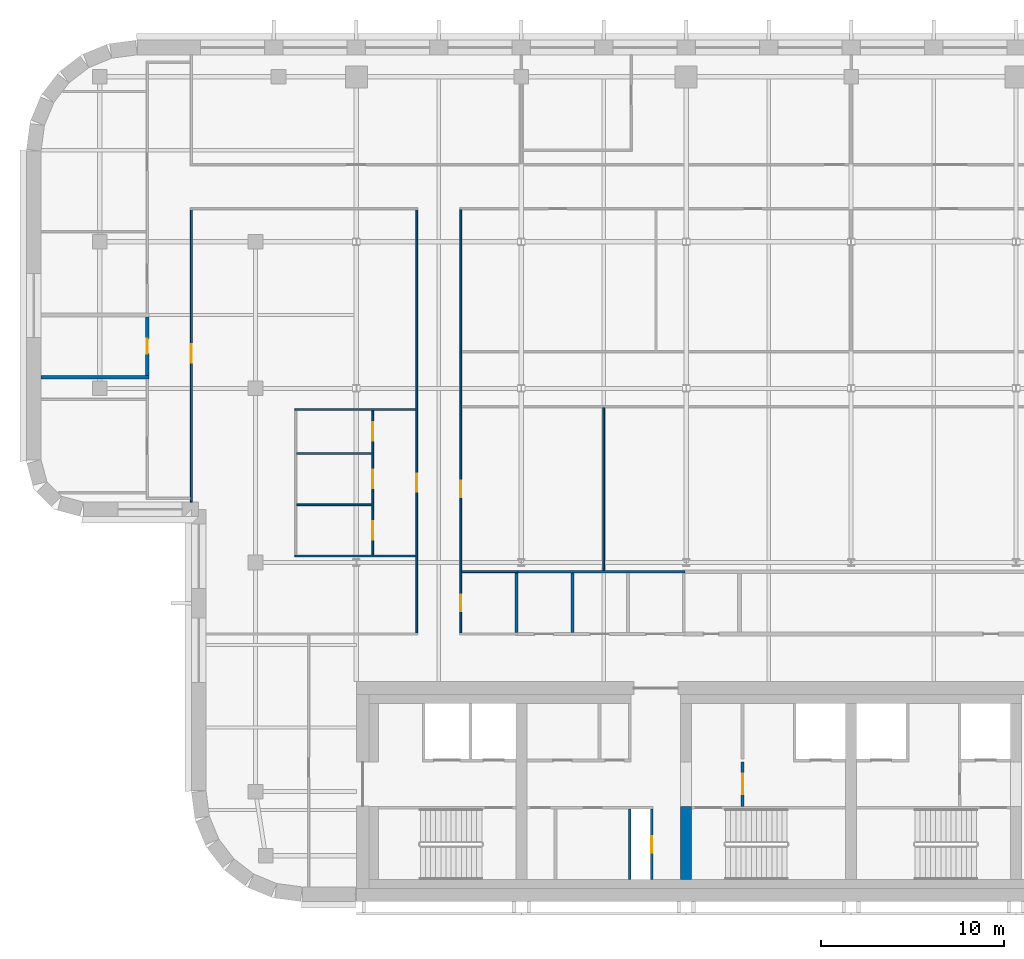
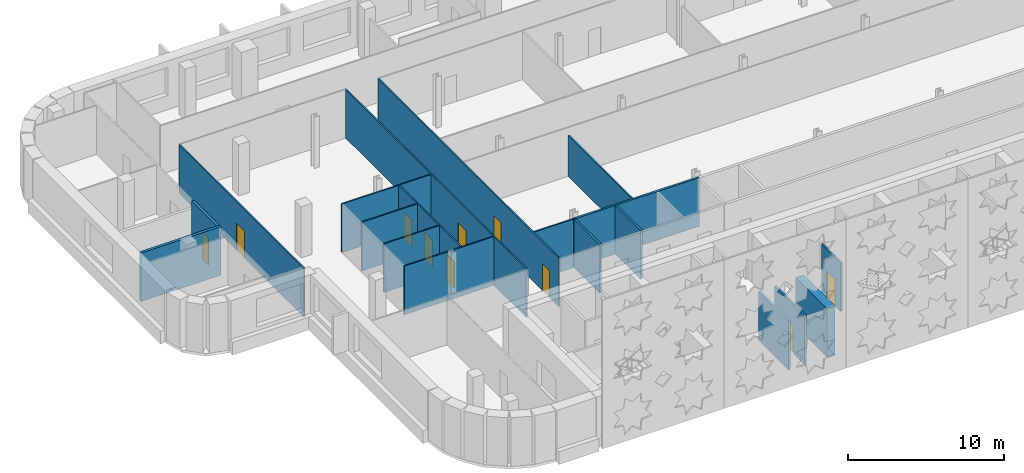
# One storey, part 8 of 18: 19 walls, 10 doors, 10 openings.
"""IFC4 building model written with IfcOpenShell, lengths in metres."""

from ifc_helpers import new_model, si_unit, direction, frame, frame_2d, origin, place, context, subcontext, project, spatial, rectangle, extrude, material, layer, layer_set, type_object, element, fill, save


model = new_model("IFC4")

# Units and contexts
model_context = context("Model", 3, precision=1e-05, world=origin(), true_north=direction((0.0, 1.0)))
body_context = subcontext(model_context, "Body", "Model", "MODEL_VIEW")
ifc_project = project(units=[si_unit("LENGTHUNIT", "METRE"), si_unit("AREAUNIT", "SQUARE_METRE"), si_unit("VOLUMEUNIT", "CUBIC_METRE"), si_unit("PLANEANGLEUNIT", "RADIAN"), si_unit("MASSUNIT", "GRAM", prefix="KILO")], contexts=[model_context])

# Site, building, storey
site_placement = place(None, origin())
site = spatial("IfcSite", under=ifc_project, at=site_placement, CompositionType="ELEMENT")
building_placement = place(site_placement, origin())
building = spatial("IfcBuilding", under=site, at=building_placement, Name="Zellij Exchange Tower", CompositionType="ELEMENT")
storey_placement = place(building_placement, frame((0.0, 0.0, 240.5)))
storey = spatial("IfcBuildingStorey", under=building, at=storey_placement, Name="L56", CompositionType="ELEMENT", Elevation=240.5)

# Wall
ifc_material_1 = material(Name="Concrete C50/60", Category="concrete")
ifc_layer_1 = layer(ifc_material_1, 0.60009765625)
ifc_layer_set_1 = layer_set([ifc_layer_1], Name="Concrete C50/60")
wall_type_1 = type_object("IfcWallType", Name="CORE-CW 600 C50/60", PredefinedType="SHEAR", material=ifc_layer_set_1)
wall_1_placement = place(storey_placement, frame((-9.0, -12.800048828125, 0.0), z_axis=(0.0, 0.0, 1.0), x_axis=(0.0, 1.0, 0.0)))
element("IfcWall", 1, at=wall_1_placement, inside=storey, type_object=wall_type_1, Name="Core cross wall pier x -9 a L56", PredefinedType="SHEAR", context=body_context, shape_type="SweptSolid", body=[
    extrude(rectangle(XDim=4.0, YDim=0.60009765625, at=frame_2d((2.0, 0.0))), origin(), (0.0, 0.0, 1.0), 3.800048828125),
])

# Wall, opening, door
ifc_material_2 = material(Name="Gypsum shaft wall system")
ifc_layer_2 = layer(ifc_material_2, 0.14990234375)
ifc_layer_set_2 = layer_set([ifc_layer_2], Name="Gypsum shaft wall system")
wall_type_2 = type_object("IfcWallType", Name="CORE-PW 150 Firefighting lobby wall", PredefinedType="PARTITIONING", material=ifc_layer_set_2)
wall_2_placement = place(storey_placement, frame((-5.925048828125, -8.800048828125, 0.0), z_axis=(0.0, 0.0, 1.0), x_axis=(0.0, 1.0, 0.0)))
wall_2 = element("IfcWall", 2, at=wall_2_placement, inside=storey, type_object=wall_type_2, Name="Firefighting lobby wall L56", PredefinedType="PARTITIONING", context=body_context, shape_type="SweptSolid", body=[
    extrude(rectangle(XDim=2.425048828125, YDim=0.14990234375, at=frame_2d((1.21240234375, 0.0))), origin(), (0.0, 0.0, 1.0), 3.800048828125),
])
opening_1_placement = place(wall_2_placement, frame((0.662109375, 0.0, 0.0)))
opening_1 = element("IfcOpeningElement", 3, at=opening_1_placement, cuts=wall_2, Name="Opening CA-29.12", PredefinedType="OPENING", context=body_context, shape_type="SweptSolid", body=[
    extrude(rectangle(XDim=1.10009765625, YDim=2.10009765625, at=frame_2d((0.550048828125, 1.050048828125))), frame((0.0, 0.0869140625, 0.0), z_axis=(0.0, -1.0, 0.0), x_axis=(1.0, 0.0, 0.0)), (0.0, 0.0, 1.0), 0.173828125),
])
ifc_material_3 = material(Name="Hollow metal fire door")
door_type_1 = type_object("IfcDoorType", Name="CORE-D F Firefighting lobby door 1100x2100 1 HR", OperationType="NOTDEFINED", PredefinedType="DOOR", material=ifc_material_3)
door_1_placement = place(opening_1_placement, origin())
door_1 = element("IfcDoor", 4, at=door_1_placement, inside=storey, type_object=door_type_1, Name="Firefighting lobby door CA-29.12", OperationType="SINGLE_SWING_LEFT", OverallHeight=2.10009765625, OverallWidth=1.10009765625, PredefinedType="DOOR", context=body_context, shape_type="SweptSolid", body=[
    extrude(rectangle(XDim=1.10009765625, YDim=2.10009765625, at=frame_2d((0.550048828125, 1.050048828125))), frame((0.0, 0.02490234375, 0.0), z_axis=(0.0, -1.0, 0.0), x_axis=(1.0, 0.0, 0.0)), (0.0, 0.0, 1.0), 0.050048828125),
])
fill(opening_1, door_1)

ifc_material_4 = material(Name="Gypsum board partition")
ifc_layer_3 = layer(ifc_material_4, 0.14990234375)
ifc_layer_set_3 = layer_set([ifc_layer_3], Name="Gypsum board partition")
wall_type_3 = type_object("IfcWallType", Name="CORE-PW 150 Lift lobby wall", PredefinedType="PARTITIONING", material=ifc_layer_set_3)
wall_3_placement = place(storey_placement, frame((-10.875, -12.800048828125, 0.0), z_axis=(0.0, 0.0, 1.0), x_axis=(0.0, 1.0, 0.0)))
wall_3 = element("IfcWall", 5, at=wall_3_placement, inside=storey, type_object=wall_type_3, Name="Lift lobby wall L56", PredefinedType="PARTITIONING", context=body_context, shape_type="SweptSolid", body=[
    extrude(rectangle(XDim=3.85009765625, YDim=0.14990234375, at=frame_2d((1.925048828125, 0.0))), origin(), (0.0, 0.0, 1.0), 3.800048828125),
])
opening_2_placement = place(wall_3_placement, frame((1.47509765625, 0.0, 0.0)))
opening_2 = element("IfcOpeningElement", 6, at=opening_2_placement, cuts=wall_3, Name="Opening CA-29.09", PredefinedType="OPENING", context=body_context, shape_type="SweptSolid", body=[
    extrude(rectangle(XDim=0.89990234375, YDim=2.10009765625, at=frame_2d((0.449951171875, 1.050048828125))), frame((0.0, 0.0869140625, 0.0), z_axis=(0.0, -1.0, 0.0), x_axis=(1.0, 0.0, 0.0)), (0.0, 0.0, 1.0), 0.173828125),
])
door_type_2 = type_object("IfcDoorType", Name="CORE-D RD Riser door 900x2100 1.5 HR", OperationType="NOTDEFINED", PredefinedType="DOOR", material=ifc_material_3)
door_2_placement = place(opening_2_placement, origin())
door_2 = element("IfcDoor", 7, at=door_2_placement, inside=storey, type_object=door_type_2, Name="Riser door CA-29.09", OperationType="SINGLE_SWING_RIGHT", OverallHeight=2.10009765625, OverallWidth=0.89990234375, PredefinedType="DOOR", context=body_context, shape_type="SweptSolid", body=[
    extrude(rectangle(XDim=0.89990234375, YDim=2.10009765625, at=frame_2d((0.449951171875, 1.050048828125))), frame((0.0, 0.02490234375, 0.0), z_axis=(0.0, -1.0, 0.0), x_axis=(1.0, 0.0, 0.0)), (0.0, 0.0, 1.0), 0.050048828125),
])
fill(opening_2, door_2)

# Walls
wall_4_placement = place(storey_placement, frame((-12.074951171875, -12.800048828125, 0.0), z_axis=(0.0, 0.0, 1.0), x_axis=(0.0, 1.0, 0.0)))
element("IfcWall", 8, at=wall_4_placement, inside=storey, type_object=wall_type_3, Name="Lift lobby wall L56", PredefinedType="PARTITIONING", context=body_context, shape_type="SweptSolid", body=[
    extrude(rectangle(XDim=3.85009765625, YDim=0.14990234375, at=frame_2d((1.925048828125, 0.0))), origin(), (0.0, 0.0, 1.0), 3.800048828125),
])
ifc_material_5 = material(Name="Blockwork partition", Category="masonry")
ifc_layer_4 = layer(ifc_material_5, 0.199951171875)
ifc_layer_set_4 = layer_set([ifc_layer_4], Name="Blockwork partition")
wall_type_4 = type_object("IfcWallType", Name="FIT-BLOCKWORK-200", PredefinedType="PARTITIONING", material=ifc_layer_set_4)
wall_5_placement = place(storey_placement, frame((-44.199951171875, 14.60009765625, 0.0), z_axis=(0.0, 0.0, 1.0), x_axis=(1.0, 0.0, 0.0)))
element("IfcWall", 9, at=wall_5_placement, inside=storey, type_object=wall_type_4, Name="FIT-BLOCKWORK-200 035", PredefinedType="PARTITIONING", context=body_context, shape_type="SweptSolid", body=[
    extrude(rectangle(XDim=5.89990234375, YDim=0.199951171875, at=frame_2d((2.949951171875, 0.0))), origin(), (0.0, 0.0, 1.0), 3.800048828125),
])

# Wall, opening, door
wall_6_placement = place(storey_placement, frame((-38.39990234375, 14.699951171875, 0.0), z_axis=(0.0, 0.0, 1.0), x_axis=(0.0, 1.0, 0.0)))
wall_6 = element("IfcWall", 10, at=wall_6_placement, inside=storey, type_object=wall_type_4, Name="FIT-BLOCKWORK-200 036", PredefinedType="PARTITIONING", context=body_context, shape_type="SweptSolid", body=[
    extrude(rectangle(XDim=3.199951171875, YDim=0.199951171875, at=frame_2d((1.60009765625, 0.0))), origin(), (0.0, 0.0, 1.0), 3.800048828125),
])
opening_3_placement = place(wall_6_placement, frame((1.199951171875, 0.0, 0.0)))
opening_3 = element("IfcOpeningElement", 11, at=opening_3_placement, cuts=wall_6, Name="Opening O4C.18", PredefinedType="OPENING", context=body_context, shape_type="SweptSolid", body=[
    extrude(rectangle(XDim=0.800048828125, YDim=2.10009765625, at=frame_2d((0.39990234375, 1.050048828125))), frame((0.0, 0.11181640625, 0.0), z_axis=(0.0, -1.0, 0.0), x_axis=(1.0, 0.0, 0.0)), (0.0, 0.0, 1.0), 0.223876953125),
])
ifc_material_6 = material(Name="Timber door set", Category="wood")
door_type_3 = type_object("IfcDoorType", Name="FIT-D6-SERVICE-800X2100", OperationType="SINGLE_SWING_LEFT", PredefinedType="DOOR", material=ifc_material_6)
door_3_placement = place(opening_3_placement, origin())
door_3 = element("IfcDoor", 12, at=door_3_placement, inside=storey, type_object=door_type_3, Name="Door O4C.18", OperationType="SINGLE_SWING_LEFT", OverallHeight=2.10009765625, OverallWidth=0.800048828125, PredefinedType="DOOR", context=body_context, shape_type="SweptSolid", body=[
    extrude(rectangle(XDim=0.800048828125, YDim=2.10009765625, at=frame_2d((0.39990234375, 1.050048828125))), frame((0.0, 0.02490234375, 0.0), z_axis=(0.0, -1.0, 0.0), x_axis=(1.0, 0.0, 0.0)), (0.0, 0.0, 1.0), 0.050048828125),
])
fill(opening_3, door_3)

ifc_material_7 = material(Name="Gypsum board partition on steel studs", Category="steel")
ifc_layer_5 = layer(ifc_material_7, 0.10009765625)
ifc_layer_set_5 = layer_set([ifc_layer_5], Name="Gypsum board partition on steel studs")
wall_type_5 = type_object("IfcWallType", Name="FIT-PARTITION-100", PredefinedType="PARTITIONING", material=ifc_layer_set_5)
wall_7_placement = place(storey_placement, frame((-23.699951171875, 0.64990234375, 0.0), z_axis=(0.0, 0.0, 1.0), x_axis=(0.0, 1.0, 0.0)))
wall_7 = element("IfcWall", 13, at=wall_7_placement, inside=storey, type_object=wall_type_5, Name="FIT-PARTITION-100 005", PredefinedType="PARTITIONING", context=body_context, shape_type="SweptSolid", body=[
    extrude(rectangle(XDim=23.10009765625, YDim=0.10009765625, at=frame_2d((11.550048828125, 0.0))), origin(), (0.0, 0.0, 1.0), 3.800048828125),
])
opening_4_placement = place(wall_7_placement, frame((7.699951171875, 0.0, 0.0)))
opening_4 = element("IfcOpeningElement", 14, at=opening_4_placement, cuts=wall_7, Name="Opening O4C.13", PredefinedType="OPENING", context=body_context, shape_type="SweptSolid", body=[
    extrude(rectangle(XDim=1.0, YDim=2.10009765625, at=frame_2d((0.5, 1.050048828125))), frame((0.0, 0.06201171875, 0.0), z_axis=(0.0, -1.0, 0.0), x_axis=(1.0, 0.0, 0.0)), (0.0, 0.0, 1.0), 0.1240234375),
])
door_type_4 = type_object("IfcDoorType", Name="FIT-D2-WIDE-1000X2100", OperationType="SINGLE_SWING_LEFT", PredefinedType="DOOR", material=ifc_material_6)
door_4_placement = place(opening_4_placement, origin())
door_4 = element("IfcDoor", 15, at=door_4_placement, inside=storey, type_object=door_type_4, Name="Door O4C.13", OperationType="SINGLE_SWING_RIGHT", OverallHeight=2.10009765625, OverallWidth=1.0, PredefinedType="DOOR", context=body_context, shape_type="SweptSolid", body=[
    extrude(rectangle(XDim=1.0, YDim=2.10009765625, at=frame_2d((0.5, 1.050048828125))), frame((0.0, 0.02490234375, 0.0), z_axis=(0.0, -1.0, 0.0), x_axis=(1.0, 0.0, 0.0)), (0.0, 0.0, 1.0), 0.050048828125),
])
fill(opening_4, door_4)

# Wall, openings, doors
wall_8_placement = place(storey_placement, frame((-21.300048828125, 0.64990234375, 0.0), z_axis=(0.0, 0.0, 1.0), x_axis=(0.0, 1.0, 0.0)))
wall_8 = element("IfcWall", 16, at=wall_8_placement, inside=storey, type_object=wall_type_5, Name="FIT-PARTITION-100 007", PredefinedType="PARTITIONING", context=body_context, shape_type="SweptSolid", body=[
    extrude(rectangle(XDim=23.10009765625, YDim=0.10009765625, at=frame_2d((11.550048828125, 0.0))), origin(), (0.0, 0.0, 1.0), 3.800048828125),
])
opening_5_placement = place(wall_8_placement, frame((1.199951171875, 0.0, 0.0)))
opening_5 = element("IfcOpeningElement", 17, at=opening_5_placement, cuts=wall_8, Name="Opening O4C.08", PredefinedType="OPENING", context=body_context, shape_type="SweptSolid", body=[
    extrude(rectangle(XDim=0.89990234375, YDim=2.10009765625, at=frame_2d((0.449951171875, 1.050048828125))), frame((0.0, 0.06201171875, 0.0), z_axis=(0.0, -1.0, 0.0), x_axis=(1.0, 0.0, 0.0)), (0.0, 0.0, 1.0), 0.1240234375),
])
opening_6_placement = place(wall_8_placement, frame((7.39990234375, 0.0, 0.0)))
opening_6 = element("IfcOpeningElement", 18, at=opening_6_placement, cuts=wall_8, Name="Opening O4C.11", PredefinedType="OPENING", context=body_context, shape_type="SweptSolid", body=[
    extrude(rectangle(XDim=0.89990234375, YDim=2.10009765625, at=frame_2d((0.449951171875, 1.050048828125))), frame((0.0, 0.06201171875, 0.0), z_axis=(0.0, -1.0, 0.0), x_axis=(1.0, 0.0, 0.0)), (0.0, 0.0, 1.0), 0.1240234375),
])
door_type_5 = type_object("IfcDoorType", Name="FIT-D1-ROOM-900X2100", OperationType="SINGLE_SWING_LEFT", PredefinedType="DOOR", material=ifc_material_6)
door_5_placement = place(opening_5_placement, origin())
door_5 = element("IfcDoor", 19, at=door_5_placement, inside=storey, type_object=door_type_5, Name="Door O4C.08", OperationType="SINGLE_SWING_LEFT", OverallHeight=2.10009765625, OverallWidth=0.89990234375, PredefinedType="DOOR", context=body_context, shape_type="SweptSolid", body=[
    extrude(rectangle(XDim=0.89990234375, YDim=2.10009765625, at=frame_2d((0.449951171875, 1.050048828125))), frame((0.0, 0.02490234375, 0.0), z_axis=(0.0, -1.0, 0.0), x_axis=(1.0, 0.0, 0.0)), (0.0, 0.0, 1.0), 0.050048828125),
])
fill(opening_5, door_5)
door_6_placement = place(opening_6_placement, origin())
door_6 = element("IfcDoor", 20, at=door_6_placement, inside=storey, type_object=door_type_5, Name="Door O4C.11", OperationType="SINGLE_SWING_LEFT", OverallHeight=2.10009765625, OverallWidth=0.89990234375, PredefinedType="DOOR", context=body_context, shape_type="SweptSolid", body=[
    extrude(rectangle(XDim=0.89990234375, YDim=2.10009765625, at=frame_2d((0.449951171875, 1.050048828125))), frame((0.0, 0.02490234375, 0.0), z_axis=(0.0, -1.0, 0.0), x_axis=(1.0, 0.0, 0.0)), (0.0, 0.0, 1.0), 0.050048828125),
])
fill(opening_6, door_6)

# Walls
wall_9_placement = place(storey_placement, frame((-21.25, 4.0, 0.0), z_axis=(0.0, 0.0, 1.0), x_axis=(1.0, 0.0, 0.0)))
element("IfcWall", 21, at=wall_9_placement, inside=storey, type_object=wall_type_5, Name="FIT-PARTITION-100 018", PredefinedType="PARTITIONING", context=body_context, shape_type="SweptSolid", body=[
    extrude(rectangle(XDim=3.06494140625, YDim=0.10009765625, at=frame_2d((1.532470703125, 0.0))), origin(), (0.0, 0.0, 1.0), 3.800048828125),
])
wall_10_placement = place(storey_placement, frame((-13.5, 4.074951171875, 0.0), z_axis=(0.0, 0.0, 1.0), x_axis=(0.0, 1.0, 0.0)))
element("IfcWall", 22, at=wall_10_placement, inside=storey, type_object=wall_type_5, Name="FIT-PARTITION-100 020", PredefinedType="PARTITIONING", context=body_context, shape_type="SweptSolid", body=[
    extrude(rectangle(XDim=8.875, YDim=0.10009765625, at=frame_2d((4.4375, 0.0))), origin(), (0.0, 0.0, 1.0), 3.200439453125),
])
wall_11_placement = place(storey_placement, frame((-30.35009765625, 4.85009765625, 0.0), z_axis=(0.0, 0.0, 1.0), x_axis=(1.0, 0.0, 0.0)))
element("IfcWall", 23, at=wall_11_placement, inside=storey, type_object=wall_type_5, Name="FIT-PARTITION-100 023", PredefinedType="PARTITIONING", context=body_context, shape_type="SweptSolid", body=[
    extrude(rectangle(XDim=6.60009765625, YDim=0.10009765625, at=frame_2d((3.300048828125, 0.0))), origin(), (0.0, 0.0, 1.0), 3.800048828125),
])

# Wall, openings, doors
wall_12_placement = place(storey_placement, frame((-26.10009765625, 4.89990234375, 0.0), z_axis=(0.0, 0.0, 1.0), x_axis=(0.0, 1.0, 0.0)))
wall_12 = element("IfcWall", 24, at=wall_12_placement, inside=storey, type_object=wall_type_5, Name="FIT-PARTITION-100 025", PredefinedType="PARTITIONING", context=body_context, shape_type="SweptSolid", body=[
    extrude(rectangle(XDim=7.900146484375, YDim=0.10009765625, at=frame_2d((3.9501953125, 0.0))), origin(), (0.0, 0.0, 1.0), 3.800048828125),
])
opening_7_placement = place(wall_12_placement, frame((0.85009765625, 0.0, 0.0)))
opening_7 = element("IfcOpeningElement", 25, at=opening_7_placement, cuts=wall_12, Name="Opening O4C.09", PredefinedType="OPENING", context=body_context, shape_type="SweptSolid", body=[
    extrude(rectangle(XDim=1.0, YDim=2.10009765625, at=frame_2d((0.5, 1.050048828125))), frame((0.0, 0.06201171875, 0.0), z_axis=(0.0, -1.0, 0.0), x_axis=(1.0, 0.0, 0.0)), (0.0, 0.0, 1.0), 0.1240234375),
])
opening_8_placement = place(wall_12_placement, frame((3.64990234375, 0.0, 0.0)))
opening_8 = element("IfcOpeningElement", 26, at=opening_8_placement, cuts=wall_12, Name="Opening O4C.14", PredefinedType="OPENING", context=body_context, shape_type="SweptSolid", body=[
    extrude(rectangle(XDim=1.0, YDim=2.10009765625, at=frame_2d((0.5, 1.050048828125))), frame((0.0, 0.06201171875, 0.0), z_axis=(0.0, -1.0, 0.0), x_axis=(1.0, 0.0, 0.0)), (0.0, 0.0, 1.0), 0.1240234375),
])
opening_9_placement = place(wall_12_placement, frame((6.25, 0.0, 0.0)))
opening_9 = element("IfcOpeningElement", 27, at=opening_9_placement, cuts=wall_12, Name="Opening O4C.16", PredefinedType="OPENING", context=body_context, shape_type="SweptSolid", body=[
    extrude(rectangle(XDim=1.0, YDim=2.10009765625, at=frame_2d((0.5, 1.050048828125))), frame((0.0, 0.06201171875, 0.0), z_axis=(0.0, -1.0, 0.0), x_axis=(1.0, 0.0, 0.0)), (0.0, 0.0, 1.0), 0.1240234375),
])
door_7_placement = place(opening_7_placement, origin())
door_7 = element("IfcDoor", 28, at=door_7_placement, inside=storey, type_object=door_type_4, Name="Door O4C.09", OperationType="SINGLE_SWING_RIGHT", OverallHeight=2.10009765625, OverallWidth=1.0, PredefinedType="DOOR", context=body_context, shape_type="SweptSolid", body=[
    extrude(rectangle(XDim=1.0, YDim=2.10009765625, at=frame_2d((0.5, 1.050048828125))), frame((0.0, 0.02490234375, 0.0), z_axis=(0.0, -1.0, 0.0), x_axis=(1.0, 0.0, 0.0)), (0.0, 0.0, 1.0), 0.050048828125),
])
fill(opening_7, door_7)
door_8_placement = place(opening_8_placement, origin())
door_8 = element("IfcDoor", 29, at=door_8_placement, inside=storey, type_object=door_type_4, Name="Door O4C.14", OperationType="SINGLE_SWING_LEFT", OverallHeight=2.10009765625, OverallWidth=1.0, PredefinedType="DOOR", context=body_context, shape_type="SweptSolid", body=[
    extrude(rectangle(XDim=1.0, YDim=2.10009765625, at=frame_2d((0.5, 1.050048828125))), frame((0.0, 0.02490234375, 0.0), z_axis=(0.0, -1.0, 0.0), x_axis=(1.0, 0.0, 0.0)), (0.0, 0.0, 1.0), 0.050048828125),
])
fill(opening_8, door_8)
door_9_placement = place(opening_9_placement, origin())
door_9 = element("IfcDoor", 30, at=door_9_placement, inside=storey, type_object=door_type_4, Name="Door O4C.16", OperationType="SINGLE_SWING_LEFT", OverallHeight=2.10009765625, OverallWidth=1.0, PredefinedType="DOOR", context=body_context, shape_type="SweptSolid", body=[
    extrude(rectangle(XDim=1.0, YDim=2.10009765625, at=frame_2d((0.5, 1.050048828125))), frame((0.0, 0.02490234375, 0.0), z_axis=(0.0, -1.0, 0.0), x_axis=(1.0, 0.0, 0.0)), (0.0, 0.0, 1.0), 0.050048828125),
])
fill(opening_9, door_9)

# Wall
wall_13_placement = place(storey_placement, frame((-30.25, 7.64990234375, 0.0), z_axis=(0.0, 0.0, 1.0), x_axis=(1.0, 0.0, 0.0)))
element("IfcWall", 31, at=wall_13_placement, inside=storey, type_object=wall_type_5, Name="FIT-PARTITION-100 026", PredefinedType="PARTITIONING", context=body_context, shape_type="SweptSolid", body=[
    extrude(rectangle(XDim=4.10009765625, YDim=0.10009765625, at=frame_2d((2.050048828125, 0.0))), origin(), (0.0, 0.0, 1.0), 3.800048828125),
])

# Wall, opening, door
wall_14_placement = place(storey_placement, frame((-36.0, 7.800048828125, 0.0), z_axis=(0.0, 0.0, 1.0), x_axis=(0.0, 1.0, 0.0)))
wall_14 = element("IfcWall", 32, at=wall_14_placement, inside=storey, type_object=wall_type_5, Name="FIT-PARTITION-100 027", PredefinedType="PARTITIONING", context=body_context, shape_type="SweptSolid", body=[
    extrude(rectangle(XDim=15.949951171875, YDim=0.10009765625, at=frame_2d((7.97509765625, 0.0))), origin(), (0.0, 0.0, 1.0), 3.800048828125),
])
opening_10_placement = place(wall_14_placement, frame((7.60009765625, 0.0, 0.0)))
opening_10 = element("IfcOpeningElement", 33, at=opening_10_placement, cuts=wall_14, Name="Opening O4C.17", PredefinedType="OPENING", context=body_context, shape_type="SweptSolid", body=[
    extrude(rectangle(XDim=1.0, YDim=2.10009765625, at=frame_2d((0.5, 1.050048828125))), frame((0.0, 0.06201171875, 0.0), z_axis=(0.0, -1.0, 0.0), x_axis=(1.0, 0.0, 0.0)), (0.0, 0.0, 1.0), 0.1240234375),
])
door_10_placement = place(opening_10_placement, origin())
door_10 = element("IfcDoor", 34, at=door_10_placement, inside=storey, type_object=door_type_4, Name="Door O4C.17", OperationType="SINGLE_SWING_LEFT", OverallHeight=2.10009765625, OverallWidth=1.0, PredefinedType="DOOR", context=body_context, shape_type="SweptSolid", body=[
    extrude(rectangle(XDim=1.0, YDim=2.10009765625, at=frame_2d((0.5, 1.050048828125))), frame((0.0, 0.02490234375, 0.0), z_axis=(0.0, -1.0, 0.0), x_axis=(1.0, 0.0, 0.0)), (0.0, 0.0, 1.0), 0.050048828125),
])
fill(opening_10, door_10)

# Walls
wall_15_placement = place(storey_placement, frame((-30.25, 10.449951171875, 0.0), z_axis=(0.0, 0.0, 1.0), x_axis=(1.0, 0.0, 0.0)))
element("IfcWall", 35, at=wall_15_placement, inside=storey, type_object=wall_type_5, Name="FIT-PARTITION-100 031", PredefinedType="PARTITIONING", context=body_context, shape_type="SweptSolid", body=[
    extrude(rectangle(XDim=4.10009765625, YDim=0.10009765625, at=frame_2d((2.050048828125, 0.0))), origin(), (0.0, 0.0, 1.0), 3.800048828125),
])
wall_16_placement = place(storey_placement, frame((-30.35009765625, 12.85009765625, 0.0), z_axis=(0.0, 0.0, 1.0), x_axis=(1.0, 0.0, 0.0)))
element("IfcWall", 36, at=wall_16_placement, inside=storey, type_object=wall_type_5, Name="FIT-PARTITION-100 032", PredefinedType="PARTITIONING", context=body_context, shape_type="SweptSolid", body=[
    extrude(rectangle(XDim=6.60009765625, YDim=0.10009765625, at=frame_2d((3.300048828125, 0.0))), origin(), (0.0, 0.0, 1.0), 3.800048828125),
])
ifc_material_8 = material(Name="Gypsum board shaft-wall partition", Category="gypsum")
ifc_layer_6 = layer(ifc_material_8, 0.14990234375)
ifc_layer_set_6 = layer_set([ifc_layer_6], Name="Gypsum board shaft-wall partition")
wall_type_6 = type_object("IfcWallType", Name="FIT-PARTITION-150-EI60", PredefinedType="PARTITIONING", material=ifc_layer_set_6)
for number, where, z_axis, x_axis, name in (
    (37, (-18.260009765625, 0.675048828125, 0.0), (0.0, 0.0, 1.0), (0.0, 1.0, 0.0), "FIT-PARTITION-150-EI60 009"),
    (38, (-15.2099609375, 0.675048828125, 0.0), (0.0, 0.0, 1.0), (0.0, 1.0, 0.0), "FIT-PARTITION-150-EI60 010"),
):
    element("IfcWall", number, at=place(storey_placement, frame(where, z_axis=z_axis, x_axis=x_axis)), inside=storey, type_object=wall_type_6, Name=name, PredefinedType="PARTITIONING", context=body_context, shape_type="SweptSolid", body=[
        extrude(rectangle(XDim=3.25, YDim=0.14990234375, at=frame_2d((1.625, 0.0))), origin(), (0.0, 0.0, 1.0), 3.800048828125),
    ])
wall_17_placement = place(storey_placement, frame((-18.3349609375, 4.0, 0.0), z_axis=(0.0, 0.0, 1.0), x_axis=(1.0, 0.0, 0.0)))
element("IfcWall", 39, at=wall_17_placement, inside=storey, type_object=wall_type_6, Name="FIT-PARTITION-150-EI60 019", PredefinedType="PARTITIONING", context=body_context, shape_type="SweptSolid", body=[
    extrude(rectangle(XDim=9.280029296875, YDim=0.14990234375, at=frame_2d((4.64013671875, 0.0))), origin(), (0.0, 0.0, 1.0), 3.800048828125),
])

save(model, "model.ifc")
